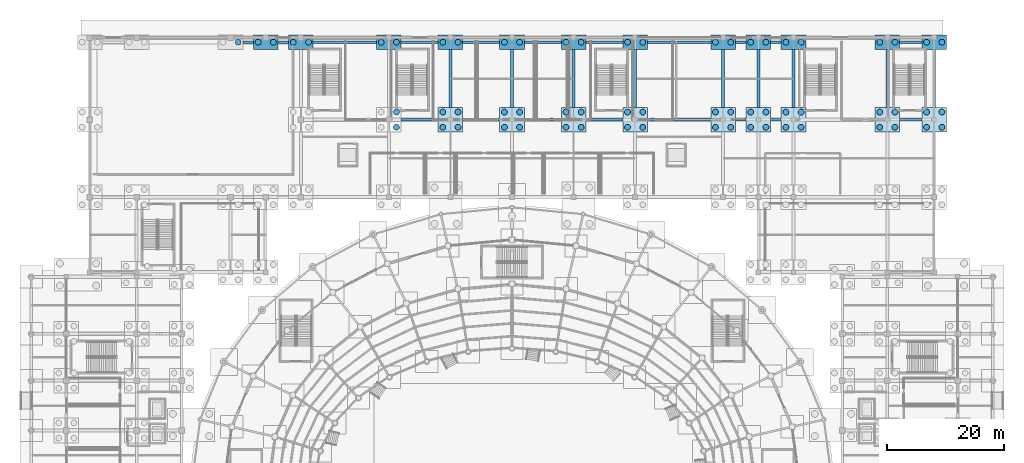
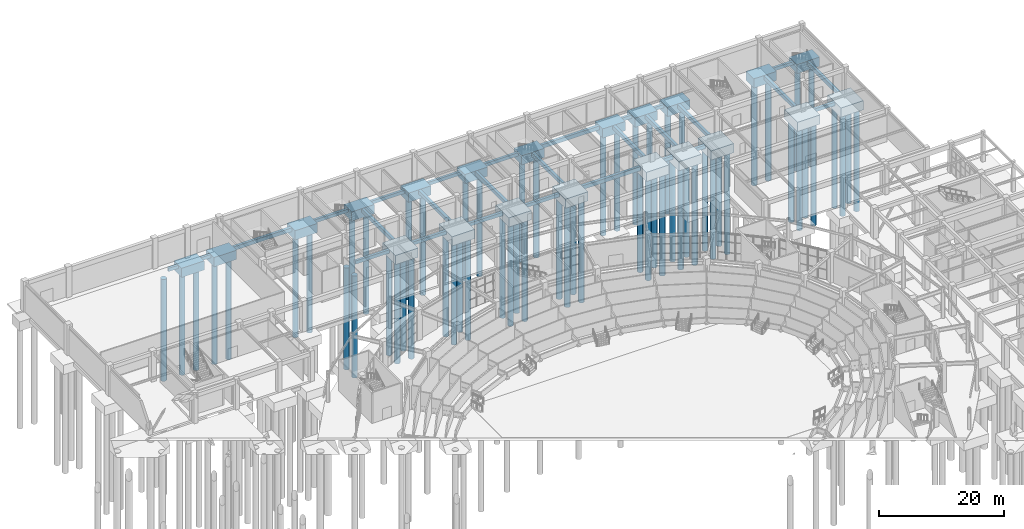
# One storey, part 8 of 121: 63 piles, 49 footings.
"""IFC4 building model written with IfcOpenShell, lengths in metres."""

from ifc_helpers import new_model, si_unit, direction, frame, origin, origin_2d, place, context, subcontext, project, spatial, rectangle, circle, extrude, material, material_profile, profile_set, type_object, element, save


model = new_model("IFC4")

# Units and contexts
model_context = context("Model", 3, precision=1e-05, world=origin(), true_north=direction((0.0, 1.0)))
body_context = subcontext(model_context, "Body", "Model", "MODEL_VIEW")
ifc_project = project(units=[si_unit("LENGTHUNIT", "METRE"), si_unit("AREAUNIT", "SQUARE_METRE"), si_unit("VOLUMEUNIT", "CUBIC_METRE"), si_unit("PLANEANGLEUNIT", "RADIAN"), si_unit("MASSUNIT", "GRAM", prefix="KILO")], contexts=[model_context])

# Site, building, storey
site_placement = place(None, origin())
site = spatial("IfcSite", under=ifc_project, at=site_placement, CompositionType="ELEMENT")
building_placement = place(site_placement, origin())
building = spatial("IfcBuilding", under=site, at=building_placement, Name="Cuetzalor Civic Arena", CompositionType="ELEMENT")
storey_placement = place(building_placement, origin())
storey = spatial("IfcBuildingStorey", under=building, at=storey_placement, Name="L00", CompositionType="ELEMENT", Elevation=0.0)

# Piles
ifc_material_1 = material(Name="Concrete C40/50", Category="concrete")
ifc_material_profile_1 = material_profile(ifc_material_1, circle(Radius=0.5, at=origin_2d()), Name="BORED PILE D1000")
ifc_profile_set_1 = profile_set([ifc_material_profile_1], Name="Concrete C40/50")
pile_type = type_object("IfcPileType", Name="BoredPile_D1000", PredefinedType="BORED", material=ifc_profile_set_1)
for number, where, z_axis, x_axis, name in (
    (1, (-19.699951171875, 60.199951171875, -2.050048828125), (0.0, 0.0, -1.0), (1.0, 0.0, 0.0), "Bored Pile 0611"),
    (2, (-19.699951171875, 62.800048828125, -2.050048828125), (0.0, 0.0, -1.0), (1.0, 0.0, 0.0), "Bored Pile 0612"),
    (3, (-11.800048828125, 60.199951171875, -2.050048828125), (0.0, 0.0, -1.0), (1.0, 0.0, 0.0), "Bored Pile 0613"),
    (4, (-11.800048828125, 62.800048828125, -2.050048828125), (0.0, 0.0, -1.0), (1.0, 0.0, 0.0), "Bored Pile 0614"),
    (5, (-9.199951171875, 60.199951171875, -2.050048828125), (0.0, 0.0, -1.0), (1.0, 0.0, 0.0), "Bored Pile 0615"),
    (6, (-9.199951171875, 62.800048828125, -2.050048828125), (0.0, 0.0, -1.0), (1.0, 0.0, 0.0), "Bored Pile 0616"),
    (7, (-1.300048828125, 60.199951171875, -2.050048828125), (0.0, 0.0, -1.0), (1.0, 0.0, 0.0), "Bored Pile 0617"),
    (8, (-1.300048828125, 62.800048828125, -2.050048828125), (0.0, 0.0, -1.0), (1.0, 0.0, 0.0), "Bored Pile 0618"),
    (9, (1.300048828125, 60.199951171875, -2.050048828125), (0.0, 0.0, -1.0), (1.0, 0.0, 0.0), "Bored Pile 0619"),
    (10, (1.300048828125, 62.800048828125, -2.050048828125), (0.0, 0.0, -1.0), (1.0, 0.0, 0.0), "Bored Pile 0620"),
    (11, (9.199951171875, 60.199951171875, -2.050048828125), (0.0, 0.0, -1.0), (1.0, 0.0, 0.0), "Bored Pile 0621"),
    (12, (9.199951171875, 62.800048828125, -2.050048828125), (0.0, 0.0, -1.0), (1.0, 0.0, 0.0), "Bored Pile 0622"),
    (13, (11.800048828125, 60.199951171875, -2.050048828125), (0.0, 0.0, -1.0), (1.0, 0.0, 0.0), "Bored Pile 0623"),
    (14, (11.800048828125, 62.800048828125, -2.050048828125), (0.0, 0.0, -1.0), (1.0, 0.0, 0.0), "Bored Pile 0624"),
    (15, (19.699951171875, 60.199951171875, -2.050048828125), (0.0, 0.0, -1.0), (1.0, 0.0, 0.0), "Bored Pile 0625"),
    (16, (19.699951171875, 62.800048828125, -2.050048828125), (0.0, 0.0, -1.0), (1.0, 0.0, 0.0), "Bored Pile 0626"),
    (17, (22.300048828125, 60.199951171875, -2.050048828125), (0.0, 0.0, -1.0), (1.0, 0.0, 0.0), "Bored Pile 0627"),
    (18, (22.300048828125, 62.800048828125, -2.050048828125), (0.0, 0.0, -1.0), (1.0, 0.0, 0.0), "Bored Pile 0628"),
    (19, (34.699951171875, 60.199951171875, -2.050048828125), (0.0, 0.0, -1.0), (1.0, 0.0, 0.0), "Bored Pile 0629"),
    (20, (34.699951171875, 62.800048828125, -2.050048828125), (0.0, 0.0, -1.0), (1.0, 0.0, 0.0), "Bored Pile 0630"),
    (21, (37.300048828125, 60.199951171875, -2.050048828125), (0.0, 0.0, -1.0), (1.0, 0.0, 0.0), "Bored Pile 0631"),
    (22, (37.300048828125, 62.800048828125, -2.050048828125), (0.0, 0.0, -1.0), (1.0, 0.0, 0.0), "Bored Pile 0632"),
    (23, (40.699951171875, 60.199951171875, -2.050048828125), (0.0, 0.0, -1.0), (1.0, 0.0, 0.0), "Bored Pile 0633"),
    (24, (40.699951171875, 62.800048828125, -2.050048828125), (0.0, 0.0, -1.0), (1.0, 0.0, 0.0), "Bored Pile 0634"),
    (25, (43.300048828125, 60.199951171875, -2.050048828125), (0.0, 0.0, -1.0), (1.0, 0.0, 0.0), "Bored Pile 0635"),
    (26, (43.300048828125, 62.800048828125, -2.050048828125), (0.0, 0.0, -1.0), (1.0, 0.0, 0.0), "Bored Pile 0636"),
    (27, (46.699951171875, 60.199951171875, -2.050048828125), (0.0, 0.0, -1.0), (1.0, 0.0, 0.0), "Bored Pile 0637"),
    (28, (46.699951171875, 62.800048828125, -2.050048828125), (0.0, 0.0, -1.0), (1.0, 0.0, 0.0), "Bored Pile 0638"),
    (29, (49.300048828125, 60.199951171875, -2.050048828125), (0.0, 0.0, -1.0), (1.0, 0.0, 0.0), "Bored Pile 0639"),
    (30, (49.300048828125, 62.800048828125, -2.050048828125), (0.0, 0.0, -1.0), (1.0, 0.0, 0.0), "Bored Pile 0640"),
    (31, (62.699951171875, 60.199951171875, -2.050048828125), (0.0, 0.0, -1.0), (1.0, 0.0, 0.0), "Bored Pile 0641"),
    (32, (62.699951171875, 62.800048828125, -2.050048828125), (0.0, 0.0, -1.0), (1.0, 0.0, 0.0), "Bored Pile 0642"),
    (33, (65.300048828125, 60.199951171875, -2.050048828125), (0.0, 0.0, -1.0), (1.0, 0.0, 0.0), "Bored Pile 0643"),
    (34, (65.300048828125, 62.800048828125, -2.050048828125), (0.0, 0.0, -1.0), (1.0, 0.0, 0.0), "Bored Pile 0644"),
    (35, (70.699951171875, 60.199951171875, -2.050048828125), (0.0, 0.0, -1.0), (1.0, 0.0, 0.0), "Bored Pile 0645"),
    (36, (70.699951171875, 62.800048828125, -2.050048828125), (0.0, 0.0, -1.0), (1.0, 0.0, 0.0), "Bored Pile 0646"),
    (37, (73.300048828125, 60.199951171875, -2.050048828125), (0.0, 0.0, -1.0), (1.0, 0.0, 0.0), "Bored Pile 0647"),
    (38, (73.300048828125, 62.800048828125, -2.050048828125), (0.0, 0.0, -1.0), (1.0, 0.0, 0.0), "Bored Pile 0648"),
    (39, (-46.699951171875, 74.699951171875, -2.050048828125), (0.0, 0.0, -1.0), (1.0, 0.0, 0.0), "Bored Pile 0654"),
    (40, (-43.300048828125, 74.699951171875, -2.050048828125), (0.0, 0.0, -1.0), (1.0, 0.0, 0.0), "Bored Pile 0655"),
    (41, (-40.699951171875, 74.699951171875, -2.050048828125), (0.0, 0.0, -1.0), (1.0, 0.0, 0.0), "Bored Pile 0656"),
    (42, (-37.300048828125, 74.699951171875, -2.050048828125), (0.0, 0.0, -1.0), (1.0, 0.0, 0.0), "Bored Pile 0657"),
    (43, (-34.699951171875, 74.699951171875, -2.050048828125), (0.0, 0.0, -1.0), (1.0, 0.0, 0.0), "Bored Pile 0658"),
    (44, (-22.300048828125, 74.699951171875, -2.050048828125), (0.0, 0.0, -1.0), (1.0, 0.0, 0.0), "Bored Pile 0659"),
    (45, (-19.699951171875, 74.699951171875, -2.050048828125), (0.0, 0.0, -1.0), (1.0, 0.0, 0.0), "Bored Pile 0660"),
    (46, (-11.800048828125, 74.699951171875, -2.050048828125), (0.0, 0.0, -1.0), (1.0, 0.0, 0.0), "Bored Pile 0661"),
    (47, (-9.199951171875, 74.699951171875, -2.050048828125), (0.0, 0.0, -1.0), (1.0, 0.0, 0.0), "Bored Pile 0662"),
    (48, (-1.300048828125, 74.699951171875, -2.050048828125), (0.0, 0.0, -1.0), (1.0, 0.0, 0.0), "Bored Pile 0663"),
    (49, (1.300048828125, 74.699951171875, -2.050048828125), (0.0, 0.0, -1.0), (1.0, 0.0, 0.0), "Bored Pile 0664"),
    (50, (9.199951171875, 74.699951171875, -2.050048828125), (0.0, 0.0, -1.0), (1.0, 0.0, 0.0), "Bored Pile 0665"),
    (51, (11.800048828125, 74.699951171875, -2.050048828125), (0.0, 0.0, -1.0), (1.0, 0.0, 0.0), "Bored Pile 0666"),
    (52, (19.699951171875, 74.699951171875, -2.050048828125), (0.0, 0.0, -1.0), (1.0, 0.0, 0.0), "Bored Pile 0667"),
    (53, (22.300048828125, 74.699951171875, -2.050048828125), (0.0, 0.0, -1.0), (1.0, 0.0, 0.0), "Bored Pile 0668"),
    (54, (34.699951171875, 74.699951171875, -2.050048828125), (0.0, 0.0, -1.0), (1.0, 0.0, 0.0), "Bored Pile 0669"),
    (55, (37.300048828125, 74.699951171875, -2.050048828125), (0.0, 0.0, -1.0), (1.0, 0.0, 0.0), "Bored Pile 0670"),
    (56, (40.699951171875, 74.699951171875, -2.050048828125), (0.0, 0.0, -1.0), (1.0, 0.0, 0.0), "Bored Pile 0671"),
    (57, (43.300048828125, 74.699951171875, -2.050048828125), (0.0, 0.0, -1.0), (1.0, 0.0, 0.0), "Bored Pile 0672"),
    (58, (46.699951171875, 74.699951171875, -2.050048828125), (0.0, 0.0, -1.0), (1.0, 0.0, 0.0), "Bored Pile 0673"),
    (59, (49.300048828125, 74.699951171875, -2.050048828125), (0.0, 0.0, -1.0), (1.0, 0.0, 0.0), "Bored Pile 0674"),
    (60, (62.699951171875, 74.699951171875, -2.050048828125), (0.0, 0.0, -1.0), (1.0, 0.0, 0.0), "Bored Pile 0675"),
    (61, (65.300048828125, 74.699951171875, -2.050048828125), (0.0, 0.0, -1.0), (1.0, 0.0, 0.0), "Bored Pile 0676"),
    (62, (70.699951171875, 74.699951171875, -2.050048828125), (0.0, 0.0, -1.0), (1.0, 0.0, 0.0), "Bored Pile 0677"),
    (63, (73.300048828125, 74.699951171875, -2.050048828125), (0.0, 0.0, -1.0), (1.0, 0.0, 0.0), "Bored Pile 0678"),
):
    element("IfcPile", number, at=place(storey_placement, frame(where, z_axis=z_axis, x_axis=x_axis)), inside=storey, type_object=pile_type, Name=name, PredefinedType="BORED", context=body_context, shape_type="SweptSolid", body=[
        extrude(circle(Radius=0.5, at=origin_2d()), origin(), (0.0, 0.0, 1.0), 19.949951171875),
    ])

# Footings
ifc_material_2 = material(Name="Concrete C40/50", Category="concrete")
footing_type_1 = type_object("IfcFootingType", Name="CombinedPileCap_A", PredefinedType="PILE_CAP", material=ifc_material_2)
for number, where, z_axis, x_axis, name in (
    (64, (-10.5, 61.5, -2.14990234375), (0.0, 0.0, 1.0), (1.0, 0.0, 0.0), "Combined Pile Cap 252"),
    (65, (0.0, 61.5, -2.14990234375), (0.0, 0.0, 1.0), (1.0, 0.0, 0.0), "Combined Pile Cap 253"),
    (66, (10.5, 61.5, -2.14990234375), (0.0, 0.0, 1.0), (1.0, 0.0, 0.0), "Combined Pile Cap 254"),
    (67, (21.0, 61.5, -2.14990234375), (0.0, 0.0, 1.0), (1.0, 0.0, 0.0), "Combined Pile Cap 255"),
    (68, (36.0, 61.5, -2.14990234375), (0.0, 0.0, 1.0), (1.0, 0.0, 0.0), "Combined Pile Cap 256"),
    (69, (42.0, 61.5, -2.14990234375), (0.0, 0.0, 1.0), (1.0, 0.0, 0.0), "Combined Pile Cap 257"),
    (70, (48.0, 61.5, -2.14990234375), (0.0, 0.0, 1.0), (1.0, 0.0, 0.0), "Combined Pile Cap 258"),
    (71, (64.0, 61.5, -2.14990234375), (0.0, 0.0, 1.0), (1.0, 0.0, 0.0), "Combined Pile Cap 259"),
    (72, (72.0, 61.5, -2.14990234375), (0.0, 0.0, 1.0), (1.0, 0.0, 0.0), "Combined Pile Cap 260"),
):
    element("IfcFooting", number, at=place(storey_placement, frame(where, z_axis=z_axis, x_axis=x_axis)), inside=storey, type_object=footing_type_1, Name=name, PredefinedType="PILE_CAP", context=body_context, shape_type="SweptSolid", body=[
        extrude(rectangle(XDim=4.199951171875, YDim=4.199951171875, at=origin_2d()), origin(), (0.0, 0.0, 1.0), 1.800048828125),
    ])
ifc_material_3 = material(Name="Concrete C40/50", Category="concrete")
ifc_material_profile_2 = material_profile(ifc_material_3, rectangle(XDim=0.449951171875, YDim=0.64990234375, at=origin_2d()), Name="RC 450x650")
ifc_profile_set_2 = profile_set([ifc_material_profile_2], Name="Concrete C40/50")
footing_type_2 = type_object("IfcFootingType", Name="GroundTieBeam_450x650", PredefinedType="FOOTING_BEAM", material=ifc_profile_set_2)
for number, where, z_axis, x_axis, name in (
    (73, (-18.89990234375, 61.5, -0.675048828125), (1.0, 0.0, 0.0), (0.0, 1.0, 0.0), "Ground Tie Beam 233"),
    (74, (-8.39990234375, 61.5, -0.675048828125), (1.0, 0.0, 0.0), (0.0, 1.0, 0.0), "Ground Tie Beam 235"),
    (75, (2.10009765625, 61.5, -0.675048828125), (1.0, 0.0, 0.0), (0.0, 1.0, 0.0), "Ground Tie Beam 237"),
    (76, (12.60009765625, 61.5, -0.675048828125), (1.0, 0.0, 0.0), (0.0, 1.0, 0.0), "Ground Tie Beam 239"),
):
    element("IfcFooting", number, at=place(storey_placement, frame(where, z_axis=z_axis, x_axis=x_axis)), inside=storey, type_object=footing_type_2, Name=name, PredefinedType="FOOTING_BEAM", context=body_context, shape_type="SweptSolid", body=[
        extrude(rectangle(XDim=0.449951171875, YDim=0.64990234375, at=origin_2d()), origin(), (0.0, 0.0, 1.0), 6.2998046875),
    ])
for number, where, z_axis, x_axis, name in (
    (77, (38.10009765625, 61.5, -0.675048828125), (1.0, 0.0, 0.0), (0.0, 1.0, 0.0), "Ground Tie Beam 243"),
    (78, (44.10009765625, 61.5, -0.675048828125), (1.0, 0.0, 0.0), (0.0, 1.0, 0.0), "Ground Tie Beam 245"),
):
    element("IfcFooting", number, at=place(storey_placement, frame(where, z_axis=z_axis, x_axis=x_axis)), inside=storey, type_object=footing_type_2, Name=name, PredefinedType="FOOTING_BEAM", context=body_context, shape_type="SweptSolid", body=[
        extrude(rectangle(XDim=0.449951171875, YDim=0.64990234375, at=origin_2d()), origin(), (0.0, 0.0, 1.0), 1.7998046875),
    ])
footing_1_placement = place(storey_placement, frame((66.10009765625, 61.5, -0.675048828125), z_axis=(1.0, 0.0, 0.0), x_axis=(0.0, 1.0, 0.0)))
element("IfcFooting", 79, at=footing_1_placement, inside=storey, type_object=footing_type_2, Name="Ground Tie Beam 248", PredefinedType="FOOTING_BEAM", context=body_context, shape_type="SweptSolid", body=[
    extrude(rectangle(XDim=0.449951171875, YDim=0.64990234375, at=origin_2d()), origin(), (0.0, 0.0, 1.0), 3.7998046875),
])
for number, where, z_axis, x_axis, name in (
    (80, (-45.89990234375, 74.699951171875, -0.675048828125), (1.0, 0.0, 0.0), (0.0, 1.0, 0.0), "Ground Tie Beam 252"),
    (81, (-39.89990234375, 74.699951171875, -0.675048828125), (1.0, 0.0, 0.0), (0.0, 1.0, 0.0), "Ground Tie Beam 253"),
):
    element("IfcFooting", number, at=place(storey_placement, frame(where, z_axis=z_axis, x_axis=x_axis)), inside=storey, type_object=footing_type_2, Name=name, PredefinedType="FOOTING_BEAM", context=body_context, shape_type="SweptSolid", body=[
        extrude(rectangle(XDim=0.449951171875, YDim=0.64990234375, at=origin_2d()), origin(), (0.0, 0.0, 1.0), 1.7998046875),
    ])
for number, where, z_axis, x_axis, name in (
    (82, (-18.89990234375, 74.699951171875, -0.675048828125), (1.0, 0.0, 0.0), (0.0, 1.0, 0.0), "Ground Tie Beam 255"),
    (83, (-8.39990234375, 74.699951171875, -0.675048828125), (1.0, 0.0, 0.0), (0.0, 1.0, 0.0), "Ground Tie Beam 256"),
    (84, (2.10009765625, 74.699951171875, -0.675048828125), (1.0, 0.0, 0.0), (0.0, 1.0, 0.0), "Ground Tie Beam 257"),
    (85, (12.60009765625, 74.699951171875, -0.675048828125), (1.0, 0.0, 0.0), (0.0, 1.0, 0.0), "Ground Tie Beam 258"),
):
    element("IfcFooting", number, at=place(storey_placement, frame(where, z_axis=z_axis, x_axis=x_axis)), inside=storey, type_object=footing_type_2, Name=name, PredefinedType="FOOTING_BEAM", context=body_context, shape_type="SweptSolid", body=[
        extrude(rectangle(XDim=0.449951171875, YDim=0.64990234375, at=origin_2d()), origin(), (0.0, 0.0, 1.0), 6.2998046875),
    ])
for number, where, z_axis, x_axis, name in (
    (86, (38.10009765625, 74.699951171875, -0.675048828125), (1.0, 0.0, 0.0), (0.0, 1.0, 0.0), "Ground Tie Beam 260"),
    (87, (44.10009765625, 74.699951171875, -0.675048828125), (1.0, 0.0, 0.0), (0.0, 1.0, 0.0), "Ground Tie Beam 261"),
):
    element("IfcFooting", number, at=place(storey_placement, frame(where, z_axis=z_axis, x_axis=x_axis)), inside=storey, type_object=footing_type_2, Name=name, PredefinedType="FOOTING_BEAM", context=body_context, shape_type="SweptSolid", body=[
        extrude(rectangle(XDim=0.449951171875, YDim=0.64990234375, at=origin_2d()), origin(), (0.0, 0.0, 1.0), 1.7998046875),
    ])
footing_2_placement = place(storey_placement, frame((66.10009765625, 74.699951171875, -0.675048828125), z_axis=(1.0, 0.0, 0.0), x_axis=(0.0, 1.0, 0.0)))
element("IfcFooting", 88, at=footing_2_placement, inside=storey, type_object=footing_type_2, Name="Ground Tie Beam 262", PredefinedType="FOOTING_BEAM", context=body_context, shape_type="SweptSolid", body=[
    extrude(rectangle(XDim=0.449951171875, YDim=0.64990234375, at=origin_2d()), origin(), (0.0, 0.0, 1.0), 3.7998046875),
])
ifc_material_4 = material(Name="Concrete C40/50", Category="concrete")
ifc_material_profile_3 = material_profile(ifc_material_4, rectangle(XDim=0.5, YDim=0.75, at=origin_2d()), Name="RC 500x750")
ifc_profile_set_3 = profile_set([ifc_material_profile_3], Name="Concrete C40/50")
footing_type_3 = type_object("IfcFootingType", Name="GroundTieBeam_500x750", PredefinedType="FOOTING_BEAM", material=ifc_profile_set_3)
for number, where, z_axis, x_axis, name in (
    (89, (-10.5, 63.60009765625, -0.72509765625), (0.0, 1.0, 0.0), (-1.0, 0.0, 0.0), "Ground Tie Beam 236"),
    (90, (0.0, 63.60009765625, -0.72509765625), (0.0, 1.0, 0.0), (-1.0, 0.0, 0.0), "Ground Tie Beam 238"),
    (91, (10.5, 63.60009765625, -0.72509765625), (0.0, 1.0, 0.0), (-1.0, 0.0, 0.0), "Ground Tie Beam 240"),
):
    element("IfcFooting", number, at=place(storey_placement, frame(where, z_axis=z_axis, x_axis=x_axis)), inside=storey, type_object=footing_type_3, Name=name, PredefinedType="FOOTING_BEAM", context=body_context, shape_type="SweptSolid", body=[
        extrude(rectangle(XDim=0.5, YDim=0.75, at=origin_2d()), origin(), (0.0, 0.0, 1.0), 9.849853515625),
    ])
footing_3_placement = place(storey_placement, frame((23.10009765625, 61.5, -0.72509765625), z_axis=(1.0, 0.0, 0.0), x_axis=(0.0, 1.0, 0.0)))
element("IfcFooting", 92, at=footing_3_placement, inside=storey, type_object=footing_type_3, Name="Ground Tie Beam 241", PredefinedType="FOOTING_BEAM", context=body_context, shape_type="SweptSolid", body=[
    extrude(rectangle(XDim=0.5, YDim=0.75, at=origin_2d()), origin(), (0.0, 0.0, 1.0), 10.7998046875),
])
for number, where, z_axis, x_axis, name in (
    (93, (21.0, 63.60009765625, -0.72509765625), (0.0, 1.0, 0.0), (-1.0, 0.0, 0.0), "Ground Tie Beam 242"),
    (94, (36.0, 63.60009765625, -0.72509765625), (0.0, 1.0, 0.0), (-1.0, 0.0, 0.0), "Ground Tie Beam 244"),
    (95, (42.0, 63.60009765625, -0.72509765625), (0.0, 1.0, 0.0), (-1.0, 0.0, 0.0), "Ground Tie Beam 246"),
    (96, (48.0, 63.60009765625, -0.72509765625), (0.0, 1.0, 0.0), (-1.0, 0.0, 0.0), "Ground Tie Beam 247"),
    (97, (64.0, 63.60009765625, -0.72509765625), (0.0, 1.0, 0.0), (-1.0, 0.0, 0.0), "Ground Tie Beam 249"),
    (98, (72.0, 63.60009765625, -0.72509765625), (0.0, 1.0, 0.0), (-1.0, 0.0, 0.0), "Ground Tie Beam 250"),
):
    element("IfcFooting", number, at=place(storey_placement, frame(where, z_axis=z_axis, x_axis=x_axis)), inside=storey, type_object=footing_type_3, Name=name, PredefinedType="FOOTING_BEAM", context=body_context, shape_type="SweptSolid", body=[
        extrude(rectangle(XDim=0.5, YDim=0.75, at=origin_2d()), origin(), (0.0, 0.0, 1.0), 9.849853515625),
    ])
for number, where, z_axis, x_axis, name in (
    (99, (-33.89990234375, 74.699951171875, -0.72509765625), (1.0, 0.0, 0.0), (0.0, 1.0, 0.0), "Ground Tie Beam 254"),
    (100, (23.10009765625, 74.699951171875, -0.72509765625), (1.0, 0.0, 0.0), (0.0, 1.0, 0.0), "Ground Tie Beam 259"),
):
    element("IfcFooting", number, at=place(storey_placement, frame(where, z_axis=z_axis, x_axis=x_axis)), inside=storey, type_object=footing_type_3, Name=name, PredefinedType="FOOTING_BEAM", context=body_context, shape_type="SweptSolid", body=[
        extrude(rectangle(XDim=0.5, YDim=0.75, at=origin_2d()), origin(), (0.0, 0.0, 1.0), 10.7998046875),
    ])
ifc_material_5 = material(Name="Concrete C40/50", Category="concrete")
footing_type_4 = type_object("IfcFootingType", Name="PerimeterEdgePileCap_2P", PredefinedType="PILE_CAP", material=ifc_material_5)
for number, where, z_axis, x_axis, name in (
    (101, (-42.0, 74.699951171875, -2.14990234375), (0.0, 0.0, 1.0), (1.0, 0.0, 0.0), "Combined Pile Cap 264"),
    (102, (-36.0, 74.699951171875, -2.14990234375), (0.0, 0.0, 1.0), (1.0, 0.0, 0.0), "Combined Pile Cap 265"),
    (103, (-21.0, 74.699951171875, -2.14990234375), (0.0, 0.0, 1.0), (1.0, 0.0, 0.0), "Combined Pile Cap 266"),
    (104, (-10.5, 74.699951171875, -2.14990234375), (0.0, 0.0, 1.0), (1.0, 0.0, 0.0), "Combined Pile Cap 267"),
    (105, (0.0, 74.699951171875, -2.14990234375), (0.0, 0.0, 1.0), (1.0, 0.0, 0.0), "Combined Pile Cap 268"),
    (106, (10.5, 74.699951171875, -2.14990234375), (0.0, 0.0, 1.0), (1.0, 0.0, 0.0), "Combined Pile Cap 269"),
    (107, (21.0, 74.699951171875, -2.14990234375), (0.0, 0.0, 1.0), (1.0, 0.0, 0.0), "Combined Pile Cap 270"),
    (108, (36.0, 74.699951171875, -2.14990234375), (0.0, 0.0, 1.0), (1.0, 0.0, 0.0), "Combined Pile Cap 271"),
    (109, (42.0, 74.699951171875, -2.14990234375), (0.0, 0.0, 1.0), (1.0, 0.0, 0.0), "Combined Pile Cap 272"),
    (110, (48.0, 74.699951171875, -2.14990234375), (0.0, 0.0, 1.0), (1.0, 0.0, 0.0), "Combined Pile Cap 273"),
    (111, (64.0, 74.699951171875, -2.14990234375), (0.0, 0.0, 1.0), (1.0, 0.0, 0.0), "Combined Pile Cap 274"),
    (112, (72.0, 74.699951171875, -2.14990234375), (0.0, 0.0, 1.0), (1.0, 0.0, 0.0), "Combined Pile Cap 275"),
):
    element("IfcFooting", number, at=place(storey_placement, frame(where, z_axis=z_axis, x_axis=x_axis)), inside=storey, type_object=footing_type_4, Name=name, PredefinedType="PILE_CAP", context=body_context, shape_type="SweptSolid", body=[
        extrude(rectangle(XDim=4.199951171875, YDim=2.5, at=origin_2d()), origin(), (0.0, 0.0, 1.0), 1.800048828125),
    ])

save(model, "model.ifc")
